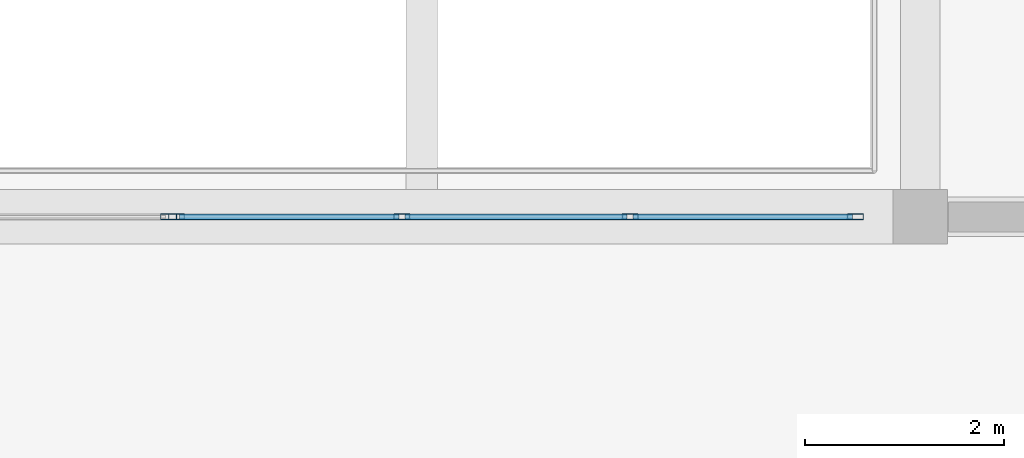
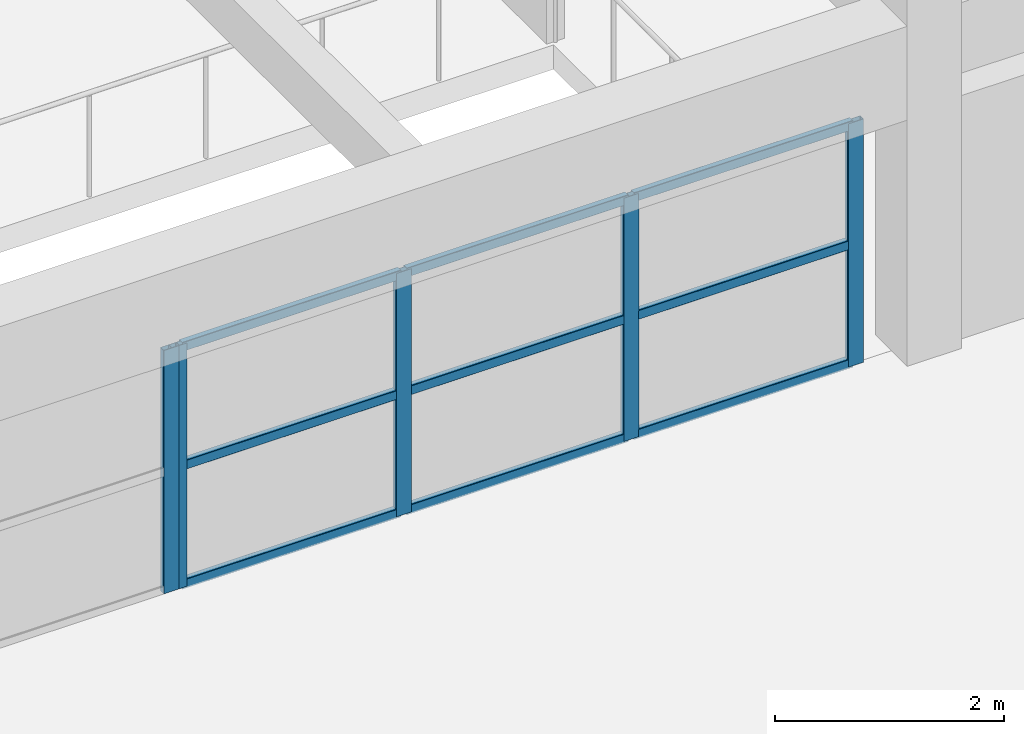
# One storey, part 6 of 101: 14 members, 2 elements without a shape of their own.
"""IFC4 building model written with IfcOpenShell, lengths in metres."""

from ifc_helpers import new_model, si_unit, direction, frame, origin, origin_2d, place, context, subcontext, project, spatial, hollow_rectangle, extrude, material, material_profile, profile_set, type_object, element, aggregate, save


model = new_model("IFC4")

# Units and contexts
model_context = context("Model", 3, precision=1e-05, world=origin(), true_north=direction((0.0, 1.0)))
body_context = subcontext(model_context, "Body", "Model", "MODEL_VIEW")
ifc_project = project(units=[si_unit("LENGTHUNIT", "METRE"), si_unit("AREAUNIT", "SQUARE_METRE"), si_unit("VOLUMEUNIT", "CUBIC_METRE"), si_unit("PLANEANGLEUNIT", "RADIAN"), si_unit("MASSUNIT", "GRAM", prefix="KILO")], contexts=[model_context])

# Site, building, storey
site_placement = place(None, origin())
site = spatial("IfcSite", under=ifc_project, at=site_placement, CompositionType="ELEMENT")
building_placement = place(site_placement, origin())
building = spatial("IfcBuilding", under=site, at=building_placement, Name="Qasida Concert Hall", CompositionType="ELEMENT")
storey_placement = place(building_placement, frame((0.0, 0.0, 13.199951171875)))
storey = spatial("IfcBuildingStorey", under=building, at=storey_placement, Name="L03", CompositionType="ELEMENT", Elevation=13.199951171875)

# Curtain wall, member
ifc_material_1 = material(Name="Architectural bronze-anodized aluminium and low-E glass", Category="aluminium")
curtain_wall_type = type_object("IfcCurtainWallType", Name="CW-09", PredefinedType="NOTDEFINED", material=ifc_material_1)
curtain_wall_1_placement = place(storey_placement, origin())
curtain_wall_1 = element("IfcCurtainWall", 1, at=curtain_wall_1_placement, inside=storey, type_object=curtain_wall_type, Name="L03 curtain wall CW-09 0120", PredefinedType="NOTDEFINED")
ifc_material_2 = material(Name="Architectural bronze-anodized aluminium EN AW-6063", Category="aluminium")
ifc_material_profile_1 = material_profile(ifc_material_2, hollow_rectangle(XDim=0.06005859375, YDim=0.159912109375, WallThickness=0.00390625, InnerFilletRadius=0.00390625, OuterFilletRadius=0.008056640625, at=origin_2d()), Name="CWM 160x60x4")
ifc_profile_set_1 = profile_set([ifc_material_profile_1], Name="Architectural bronze-anodized aluminium EN AW-6063")
member_type_1 = type_object("IfcMemberType", Name="MB-CWM-3", PredefinedType="MULLION", material=ifc_profile_set_1)
member_1_placement = place(storey_placement, frame((22.4599609375, 15.0, 0.0), z_axis=(0.0, 0.0, 1.0), x_axis=(0.0, 1.0, 0.0)))
member_1 = element("IfcMember", 2, at=member_1_placement, type_object=member_type_1, Name="CW-09 mullion 4", PredefinedType="MULLION", context=body_context, shape_type="SweptSolid", body=[
    extrude(hollow_rectangle(XDim=0.06005859375, YDim=0.159912109375, WallThickness=0.00390625, InnerFilletRadius=0.00390625, OuterFilletRadius=0.008056640625, at=origin_2d()), origin(), (0.0, 0.0, 1.0), 2.590087890625),
])
aggregate(curtain_wall_1, [member_1])

# Curtain wall, members
curtain_wall_2_placement = place(storey_placement, origin())
curtain_wall_2 = element("IfcCurtainWall", 3, at=curtain_wall_2_placement, inside=storey, type_object=curtain_wall_type, Name="L03 curtain wall CW-09 0122", PredefinedType="NOTDEFINED")
member_2_placement = place(storey_placement, frame((22.5400390625, 15.0, 0.0), z_axis=(0.0, 0.0, 1.0), x_axis=(0.0, 1.0, 0.0)))
member_2 = element("IfcMember", 4, at=member_2_placement, type_object=member_type_1, Name="CW-09 mullion 1", PredefinedType="MULLION", context=body_context, shape_type="SweptSolid", body=[
    extrude(hollow_rectangle(XDim=0.06005859375, YDim=0.159912109375, WallThickness=0.00390625, InnerFilletRadius=0.00390625, OuterFilletRadius=0.008056640625, at=origin_2d()), origin(), (0.0, 0.0, 1.0), 2.590087890625),
])
member_3_placement = place(storey_placement, frame((24.800048828125, 15.0, 0.0), z_axis=(0.0, 0.0, 1.0), x_axis=(0.0, 1.0, 0.0)))
member_3 = element("IfcMember", 5, at=member_3_placement, type_object=member_type_1, Name="CW-09 mullion 2", PredefinedType="MULLION", context=body_context, shape_type="SweptSolid", body=[
    extrude(hollow_rectangle(XDim=0.06005859375, YDim=0.159912109375, WallThickness=0.00390625, InnerFilletRadius=0.00390625, OuterFilletRadius=0.008056640625, at=origin_2d()), origin(), (0.0, 0.0, 1.0), 2.590087890625),
])
member_4_placement = place(storey_placement, frame((27.090087890625, 15.0, 0.0), z_axis=(0.0, 0.0, 1.0), x_axis=(0.0, 1.0, 0.0)))
member_4 = element("IfcMember", 6, at=member_4_placement, type_object=member_type_1, Name="CW-09 mullion 3", PredefinedType="MULLION", context=body_context, shape_type="SweptSolid", body=[
    extrude(hollow_rectangle(XDim=0.06005859375, YDim=0.159912109375, WallThickness=0.00390625, InnerFilletRadius=0.00390625, OuterFilletRadius=0.008056640625, at=origin_2d()), origin(), (0.0, 0.0, 1.0), 2.590087890625),
])
member_5_placement = place(storey_placement, frame((29.35009765625, 15.0, 0.0), z_axis=(0.0, 0.0, 1.0), x_axis=(0.0, 1.0, 0.0)))
member_5 = element("IfcMember", 7, at=member_5_placement, type_object=member_type_1, Name="CW-09 mullion 4", PredefinedType="MULLION", context=body_context, shape_type="SweptSolid", body=[
    extrude(hollow_rectangle(XDim=0.06005859375, YDim=0.159912109375, WallThickness=0.00390625, InnerFilletRadius=0.00390625, OuterFilletRadius=0.008056640625, at=origin_2d()), origin(), (0.0, 0.0, 1.0), 2.590087890625),
])
ifc_material_profile_2 = material_profile(ifc_material_2, hollow_rectangle(XDim=0.06005859375, YDim=0.10009765625, WallThickness=0.00341796875, InnerFilletRadius=0.00341796875, OuterFilletRadius=0.007080078125, at=origin_2d()), Name="CWT 100x60x3.5")
ifc_profile_set_2 = profile_set([ifc_material_profile_2], Name="Architectural bronze-anodized aluminium EN AW-6063")
member_type_2 = type_object("IfcMemberType", Name="MB-CWT-3", PredefinedType="USERDEFINED", material=ifc_profile_set_2)
member_6_placement = place(storey_placement, frame((22.570068359375, 15.0, 0.030029296875), z_axis=(1.0, 0.0, 0.0), x_axis=(0.0, 1.0, 0.0)))
member_6 = element("IfcMember", 8, at=member_6_placement, type_object=member_type_2, Name="CW-09 transom 1.1", ObjectType="TRANSOM", PredefinedType="USERDEFINED", context=body_context, shape_type="SweptSolid", body=[
    extrude(hollow_rectangle(XDim=0.06005859375, YDim=0.10009765625, WallThickness=0.00341796875, InnerFilletRadius=0.00341796875, OuterFilletRadius=0.007080078125, at=origin_2d()), origin(), (0.0, 0.0, 1.0), 2.199951171875),
])
member_7_placement = place(storey_placement, frame((22.570068359375, 15.0, 1.295166015625), z_axis=(1.0, 0.0, 0.0), x_axis=(0.0, 1.0, 0.0)))
member_7 = element("IfcMember", 9, at=member_7_placement, type_object=member_type_2, Name="CW-09 transom 1.2", ObjectType="TRANSOM", PredefinedType="USERDEFINED", context=body_context, shape_type="SweptSolid", body=[
    extrude(hollow_rectangle(XDim=0.06005859375, YDim=0.10009765625, WallThickness=0.00341796875, InnerFilletRadius=0.00341796875, OuterFilletRadius=0.007080078125, at=origin_2d()), origin(), (0.0, 0.0, 1.0), 2.199951171875),
])
member_8_placement = place(storey_placement, frame((22.570068359375, 15.0, 2.56005859375), z_axis=(1.0, 0.0, 0.0), x_axis=(0.0, 1.0, 0.0)))
member_8 = element("IfcMember", 10, at=member_8_placement, type_object=member_type_2, Name="CW-09 transom 1.3", ObjectType="TRANSOM", PredefinedType="USERDEFINED", context=body_context, shape_type="SweptSolid", body=[
    extrude(hollow_rectangle(XDim=0.06005859375, YDim=0.10009765625, WallThickness=0.00341796875, InnerFilletRadius=0.00341796875, OuterFilletRadius=0.007080078125, at=origin_2d()), origin(), (0.0, 0.0, 1.0), 2.199951171875),
])
member_9_placement = place(storey_placement, frame((24.830078125, 15.0, 0.030029296875), z_axis=(1.0, 0.0, 0.0), x_axis=(0.0, 1.0, 0.0)))
member_9 = element("IfcMember", 11, at=member_9_placement, type_object=member_type_2, Name="CW-09 transom 2.1", ObjectType="TRANSOM", PredefinedType="USERDEFINED", context=body_context, shape_type="SweptSolid", body=[
    extrude(hollow_rectangle(XDim=0.06005859375, YDim=0.10009765625, WallThickness=0.00341796875, InnerFilletRadius=0.00341796875, OuterFilletRadius=0.007080078125, at=origin_2d()), origin(), (0.0, 0.0, 1.0), 2.22998046875),
])
member_10_placement = place(storey_placement, frame((24.830078125, 15.0, 1.295166015625), z_axis=(1.0, 0.0, 0.0), x_axis=(0.0, 1.0, 0.0)))
member_10 = element("IfcMember", 12, at=member_10_placement, type_object=member_type_2, Name="CW-09 transom 2.2", ObjectType="TRANSOM", PredefinedType="USERDEFINED", context=body_context, shape_type="SweptSolid", body=[
    extrude(hollow_rectangle(XDim=0.06005859375, YDim=0.10009765625, WallThickness=0.00341796875, InnerFilletRadius=0.00341796875, OuterFilletRadius=0.007080078125, at=origin_2d()), origin(), (0.0, 0.0, 1.0), 2.22998046875),
])
member_11_placement = place(storey_placement, frame((24.830078125, 15.0, 2.56005859375), z_axis=(1.0, 0.0, 0.0), x_axis=(0.0, 1.0, 0.0)))
member_11 = element("IfcMember", 13, at=member_11_placement, type_object=member_type_2, Name="CW-09 transom 2.3", ObjectType="TRANSOM", PredefinedType="USERDEFINED", context=body_context, shape_type="SweptSolid", body=[
    extrude(hollow_rectangle(XDim=0.06005859375, YDim=0.10009765625, WallThickness=0.00341796875, InnerFilletRadius=0.00341796875, OuterFilletRadius=0.007080078125, at=origin_2d()), origin(), (0.0, 0.0, 1.0), 2.22998046875),
])
member_12_placement = place(storey_placement, frame((27.1201171875, 15.0, 0.030029296875), z_axis=(1.0, 0.0, 0.0), x_axis=(0.0, 1.0, 0.0)))
member_12 = element("IfcMember", 14, at=member_12_placement, type_object=member_type_2, Name="CW-09 transom 3.1", ObjectType="TRANSOM", PredefinedType="USERDEFINED", context=body_context, shape_type="SweptSolid", body=[
    extrude(hollow_rectangle(XDim=0.06005859375, YDim=0.10009765625, WallThickness=0.00341796875, InnerFilletRadius=0.00341796875, OuterFilletRadius=0.007080078125, at=origin_2d()), origin(), (0.0, 0.0, 1.0), 2.199951171875),
])
member_13_placement = place(storey_placement, frame((27.1201171875, 15.0, 1.295166015625), z_axis=(1.0, 0.0, 0.0), x_axis=(0.0, 1.0, 0.0)))
member_13 = element("IfcMember", 15, at=member_13_placement, type_object=member_type_2, Name="CW-09 transom 3.2", ObjectType="TRANSOM", PredefinedType="USERDEFINED", context=body_context, shape_type="SweptSolid", body=[
    extrude(hollow_rectangle(XDim=0.06005859375, YDim=0.10009765625, WallThickness=0.00341796875, InnerFilletRadius=0.00341796875, OuterFilletRadius=0.007080078125, at=origin_2d()), origin(), (0.0, 0.0, 1.0), 2.199951171875),
])
member_14_placement = place(storey_placement, frame((27.1201171875, 15.0, 2.56005859375), z_axis=(1.0, 0.0, 0.0), x_axis=(0.0, 1.0, 0.0)))
member_14 = element("IfcMember", 16, at=member_14_placement, type_object=member_type_2, Name="CW-09 transom 3.3", ObjectType="TRANSOM", PredefinedType="USERDEFINED", context=body_context, shape_type="SweptSolid", body=[
    extrude(hollow_rectangle(XDim=0.06005859375, YDim=0.10009765625, WallThickness=0.00341796875, InnerFilletRadius=0.00341796875, OuterFilletRadius=0.007080078125, at=origin_2d()), origin(), (0.0, 0.0, 1.0), 2.199951171875),
])
aggregate(curtain_wall_2, [member_2, member_3, member_4, member_5, member_6, member_7, member_8, member_9, member_10, member_11, member_12, member_13, member_14])

save(model, "model.ifc")
